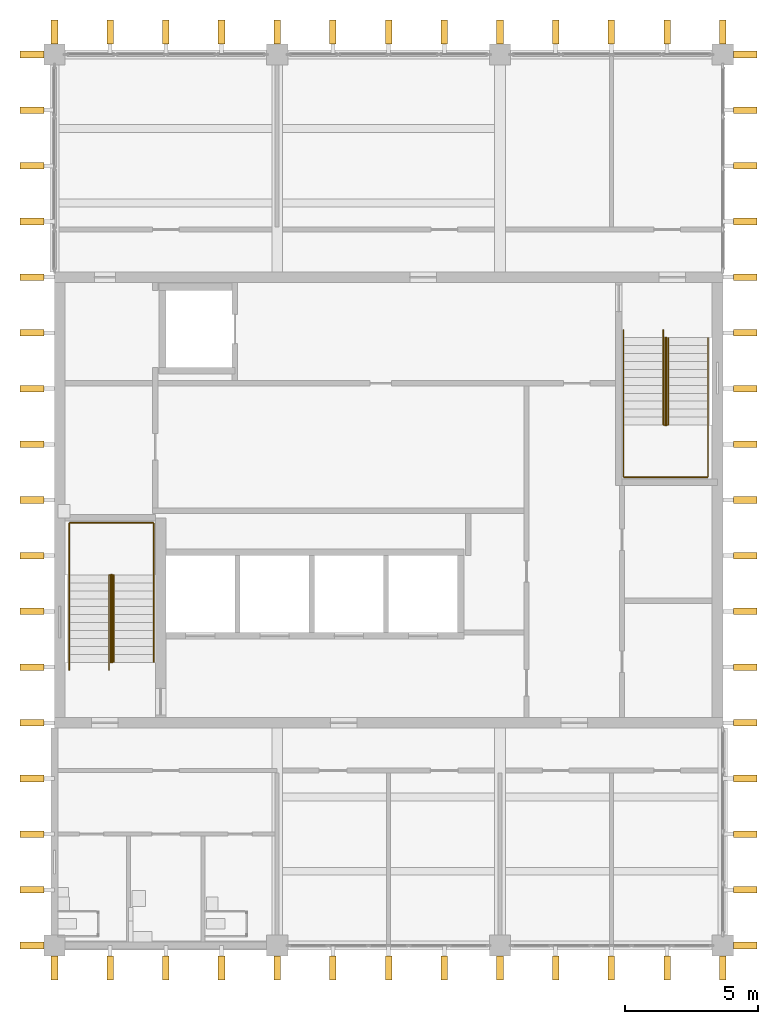
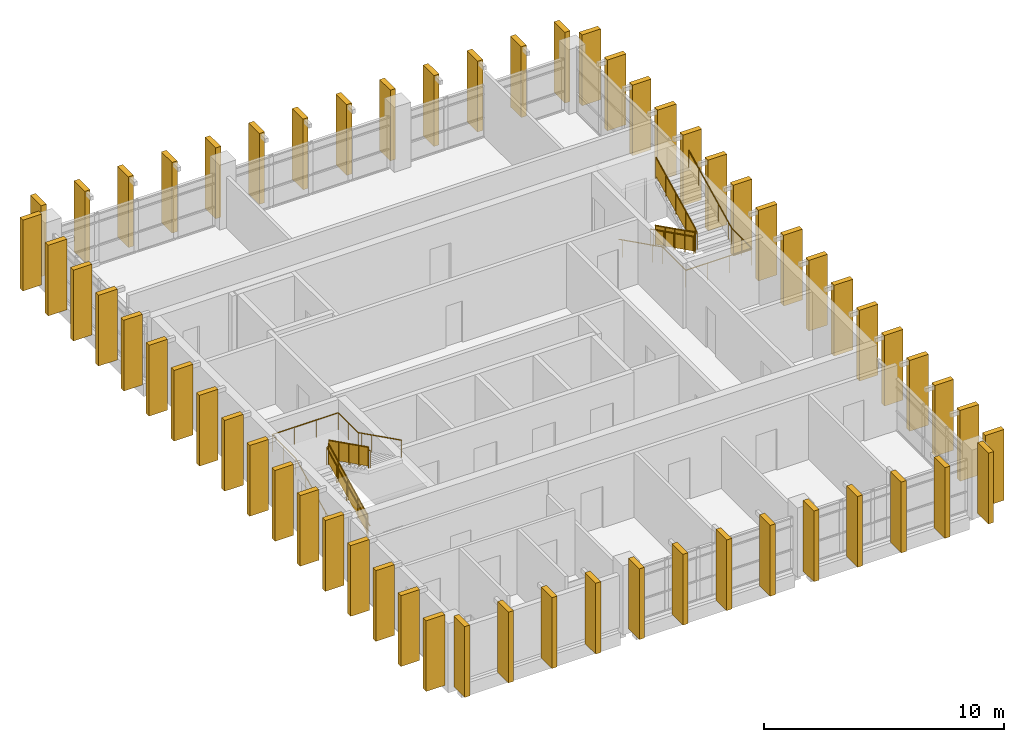
# One storey, part 10 of 11: 60 shading devices, 8 railings.
"""IFC4 building model written with IfcOpenShell, lengths in metres."""

from ifc_helpers import new_model, si_unit, direction, frame, origin, origin_2d, place, context, subcontext, project, spatial, polyline, rectangle, circle, outline, extrude, material, material_profile, profile_set, type_object, element, save


model = new_model("IFC4")

# Units and contexts
model_context = context("Model", 3, precision=1e-05, world=origin(), true_north=direction((0.0, 1.0)))
body_context = subcontext(model_context, "Body", "Model", "MODEL_VIEW")
ifc_project = project(units=[si_unit("LENGTHUNIT", "METRE"), si_unit("AREAUNIT", "SQUARE_METRE"), si_unit("VOLUMEUNIT", "CUBIC_METRE"), si_unit("PLANEANGLEUNIT", "RADIAN"), si_unit("MASSUNIT", "GRAM", prefix="KILO")], contexts=[model_context])

# Site, building, storey
site_placement = place(None, origin())
site = spatial("IfcSite", under=ifc_project, at=site_placement, CompositionType="ELEMENT")
building_placement = place(site_placement, origin())
building = spatial("IfcBuilding", under=site, at=building_placement, Name="Rulbaag Community and Learning Centre", CompositionType="ELEMENT")
storey_placement = place(building_placement, frame((0.0, 0.0, 46.800048828125)))
storey = spatial("IfcBuildingStorey", under=building, at=storey_placement, Name="L12", CompositionType="ELEMENT", Elevation=46.800048828125)

# Shading devices
ifc_material_1 = material(Name="Concrete M40", Category="concrete")
ifc_material_profile = material_profile(ifc_material_1, rectangle(XDim=0.25, YDim=0.89990234375, at=origin_2d()), Name="PC 250x900")
ifc_profile_set = profile_set([ifc_material_profile], Name="Concrete M40")
shading_device_type = type_object("IfcShadingDeviceType", Name="FIN-H", PredefinedType="JALOUSIE", material=ifc_profile_set)
for number, where, z_axis, x_axis, name in (
    (1, (142.800048828125, 83.14990234375, 0.0), (0.0, 0.0, 1.0), (1.0, 0.0, 0.0), "Precast fin"),
    (2, (144.89990234375, 83.14990234375, 0.0), (0.0, 0.0, 1.0), (1.0, 0.0, 0.0), "Precast fin"),
    (3, (147.0, 83.14990234375, 0.0), (0.0, 0.0, 1.0), (1.0, 0.0, 0.0), "Precast fin"),
    (4, (149.10009765625, 83.14990234375, 0.0), (0.0, 0.0, 1.0), (1.0, 0.0, 0.0), "Precast fin"),
    (5, (151.199951171875, 83.14990234375, 0.0), (0.0, 0.0, 1.0), (1.0, 0.0, 0.0), "Precast fin"),
    (6, (153.300048828125, 83.14990234375, 0.0), (0.0, 0.0, 1.0), (1.0, 0.0, 0.0), "Precast fin"),
    (7, (155.39990234375, 83.14990234375, 0.0), (0.0, 0.0, 1.0), (1.0, 0.0, 0.0), "Precast fin"),
    (8, (157.5, 83.14990234375, 0.0), (0.0, 0.0, 1.0), (1.0, 0.0, 0.0), "Precast fin"),
    (9, (159.60009765625, 83.14990234375, 0.0), (0.0, 0.0, 1.0), (1.0, 0.0, 0.0), "Precast fin"),
    (10, (161.699951171875, 83.14990234375, 0.0), (0.0, 0.0, 1.0), (1.0, 0.0, 0.0), "Precast fin"),
    (11, (163.800048828125, 83.14990234375, 0.0), (0.0, 0.0, 1.0), (1.0, 0.0, 0.0), "Precast fin"),
    (12, (165.89990234375, 83.14990234375, 0.0), (0.0, 0.0, 1.0), (1.0, 0.0, 0.0), "Precast fin"),
    (13, (168.0, 83.14990234375, 0.0), (0.0, 0.0, 1.0), (1.0, 0.0, 0.0), "Precast fin"),
    (14, (142.800048828125, 118.449951171875, 0.0), (0.0, 0.0, 1.0), (1.0, 0.0, 0.0), "Precast fin"),
    (15, (144.89990234375, 118.449951171875, 0.0), (0.0, 0.0, 1.0), (1.0, 0.0, 0.0), "Precast fin"),
    (16, (147.0, 118.449951171875, 0.0), (0.0, 0.0, 1.0), (1.0, 0.0, 0.0), "Precast fin"),
    (17, (149.10009765625, 118.449951171875, 0.0), (0.0, 0.0, 1.0), (1.0, 0.0, 0.0), "Precast fin"),
    (18, (151.199951171875, 118.449951171875, 0.0), (0.0, 0.0, 1.0), (1.0, 0.0, 0.0), "Precast fin"),
    (19, (153.300048828125, 118.449951171875, 0.0), (0.0, 0.0, 1.0), (1.0, 0.0, 0.0), "Precast fin"),
    (20, (155.39990234375, 118.449951171875, 0.0), (0.0, 0.0, 1.0), (1.0, 0.0, 0.0), "Precast fin"),
    (21, (157.5, 118.449951171875, 0.0), (0.0, 0.0, 1.0), (1.0, 0.0, 0.0), "Precast fin"),
    (22, (159.60009765625, 118.449951171875, 0.0), (0.0, 0.0, 1.0), (1.0, 0.0, 0.0), "Precast fin"),
    (23, (161.699951171875, 118.449951171875, 0.0), (0.0, 0.0, 1.0), (1.0, 0.0, 0.0), "Precast fin"),
    (24, (163.800048828125, 118.449951171875, 0.0), (0.0, 0.0, 1.0), (1.0, 0.0, 0.0), "Precast fin"),
    (25, (165.89990234375, 118.449951171875, 0.0), (0.0, 0.0, 1.0), (1.0, 0.0, 0.0), "Precast fin"),
    (26, (168.0, 118.449951171875, 0.0), (0.0, 0.0, 1.0), (1.0, 0.0, 0.0), "Precast fin"),
    (27, (141.949951171875, 84.0, 0.0), (0.0, 0.0, 1.0), (0.0, 1.0, 0.0), "Precast fin"),
    (28, (141.949951171875, 86.10009765625, 0.0), (0.0, 0.0, 1.0), (0.0, 1.0, 0.0), "Precast fin"),
    (29, (141.949951171875, 88.199951171875, 0.0), (0.0, 0.0, 1.0), (0.0, 1.0, 0.0), "Precast fin"),
    (30, (141.949951171875, 90.300048828125, 0.0), (0.0, 0.0, 1.0), (0.0, 1.0, 0.0), "Precast fin"),
    (31, (141.949951171875, 92.39990234375, 0.0), (0.0, 0.0, 1.0), (0.0, 1.0, 0.0), "Precast fin"),
    (32, (141.949951171875, 94.5, 0.0), (0.0, 0.0, 1.0), (0.0, 1.0, 0.0), "Precast fin"),
    (33, (141.949951171875, 96.60009765625, 0.0), (0.0, 0.0, 1.0), (0.0, 1.0, 0.0), "Precast fin"),
    (34, (141.949951171875, 98.699951171875, 0.0), (0.0, 0.0, 1.0), (0.0, 1.0, 0.0), "Precast fin"),
    (35, (141.949951171875, 100.800048828125, 0.0), (0.0, 0.0, 1.0), (0.0, 1.0, 0.0), "Precast fin"),
    (36, (141.949951171875, 102.89990234375, 0.0), (0.0, 0.0, 1.0), (0.0, 1.0, 0.0), "Precast fin"),
    (37, (141.949951171875, 105.0, 0.0), (0.0, 0.0, 1.0), (0.0, 1.0, 0.0), "Precast fin"),
    (38, (141.949951171875, 107.10009765625, 0.0), (0.0, 0.0, 1.0), (0.0, 1.0, 0.0), "Precast fin"),
    (39, (141.949951171875, 109.199951171875, 0.0), (0.0, 0.0, 1.0), (0.0, 1.0, 0.0), "Precast fin"),
    (40, (141.949951171875, 111.300048828125, 0.0), (0.0, 0.0, 1.0), (0.0, 1.0, 0.0), "Precast fin"),
    (41, (141.949951171875, 113.39990234375, 0.0), (0.0, 0.0, 1.0), (0.0, 1.0, 0.0), "Precast fin"),
    (42, (141.949951171875, 115.5, 0.0), (0.0, 0.0, 1.0), (0.0, 1.0, 0.0), "Precast fin"),
    (43, (141.949951171875, 117.60009765625, 0.0), (0.0, 0.0, 1.0), (0.0, 1.0, 0.0), "Precast fin"),
    (44, (168.85009765625, 84.0, 0.0), (0.0, 0.0, 1.0), (0.0, 1.0, 0.0), "Precast fin"),
    (45, (168.85009765625, 86.10009765625, 0.0), (0.0, 0.0, 1.0), (0.0, 1.0, 0.0), "Precast fin"),
    (46, (168.85009765625, 88.199951171875, 0.0), (0.0, 0.0, 1.0), (0.0, 1.0, 0.0), "Precast fin"),
    (47, (168.85009765625, 90.300048828125, 0.0), (0.0, 0.0, 1.0), (0.0, 1.0, 0.0), "Precast fin"),
    (48, (168.85009765625, 92.39990234375, 0.0), (0.0, 0.0, 1.0), (0.0, 1.0, 0.0), "Precast fin"),
    (49, (168.85009765625, 94.5, 0.0), (0.0, 0.0, 1.0), (0.0, 1.0, 0.0), "Precast fin"),
    (50, (168.85009765625, 96.60009765625, 0.0), (0.0, 0.0, 1.0), (0.0, 1.0, 0.0), "Precast fin"),
    (51, (168.85009765625, 98.699951171875, 0.0), (0.0, 0.0, 1.0), (0.0, 1.0, 0.0), "Precast fin"),
    (52, (168.85009765625, 100.800048828125, 0.0), (0.0, 0.0, 1.0), (0.0, 1.0, 0.0), "Precast fin"),
    (53, (168.85009765625, 102.89990234375, 0.0), (0.0, 0.0, 1.0), (0.0, 1.0, 0.0), "Precast fin"),
    (54, (168.85009765625, 105.0, 0.0), (0.0, 0.0, 1.0), (0.0, 1.0, 0.0), "Precast fin"),
    (55, (168.85009765625, 107.10009765625, 0.0), (0.0, 0.0, 1.0), (0.0, 1.0, 0.0), "Precast fin"),
    (56, (168.85009765625, 109.199951171875, 0.0), (0.0, 0.0, 1.0), (0.0, 1.0, 0.0), "Precast fin"),
    (57, (168.85009765625, 111.300048828125, 0.0), (0.0, 0.0, 1.0), (0.0, 1.0, 0.0), "Precast fin"),
    (58, (168.85009765625, 113.39990234375, 0.0), (0.0, 0.0, 1.0), (0.0, 1.0, 0.0), "Precast fin"),
    (59, (168.85009765625, 115.5, 0.0), (0.0, 0.0, 1.0), (0.0, 1.0, 0.0), "Precast fin"),
    (60, (168.85009765625, 117.60009765625, 0.0), (0.0, 0.0, 1.0), (0.0, 1.0, 0.0), "Precast fin"),
):
    element("IfcShadingDevice", number, at=place(storey_placement, frame(where, z_axis=z_axis, x_axis=x_axis)), inside=storey, type_object=shading_device_type, Name=name, PredefinedType="JALOUSIE", context=body_context, shape_type="SweptSolid", body=[
        extrude(rectangle(XDim=0.25, YDim=0.89990234375, at=origin_2d()), origin(), (0.0, 0.0, 1.0), 3.599853515625),
    ])

# Railings
ifc_material_2 = material(Name="Galvanised mild steel", Category="steel")
railing_type_1 = type_object("IfcRailingType", Name="GR-1100 GUARD 1100", PredefinedType="GUARDRAIL", material=ifc_material_2)
railing_1_placement = place(storey_placement, frame((144.929931640625, 94.675048828125, 0.14990234375)))
element("IfcRailing", 61, at=railing_1_placement, inside=storey, type_object=railing_type_1, Name="Guard ST1 L12 G", PredefinedType="GUARDRAIL", context=body_context, shape_type="SweptSolid", body=[
    extrude(circle(Radius=0.02490234375, at=origin_2d()), frame((0.0, 0.0, 1.0751953125), z_axis=(0.0, 0.894413956696, 0.447240063129), x_axis=(-1.0, 0.0, 0.0)), (0.0, 0.0, 1.0), 3.689697265625),
    extrude(circle(Radius=0.02001953125, at=origin_2d()), origin(), (0.0, 0.0, 1.0), 1.050048828125),
    extrude(circle(Radius=0.02001953125, at=origin_2d()), frame((0.0, 0.824951171875, 0.41259765625)), (0.0, 0.0, 1.0), 1.050048828125),
    extrude(circle(Radius=0.02001953125, at=origin_2d()), frame((0.0, 1.64990234375, 0.8251953125)), (0.0, 0.0, 1.0), 1.050048828125),
    extrude(circle(Radius=0.02001953125, at=origin_2d()), frame((0.0, 2.47509765625, 1.237548828125)), (0.0, 0.0, 1.0), 1.050048828125),
    extrude(circle(Radius=0.02001953125, at=origin_2d()), frame((0.0, 3.300048828125, 1.650146484375)), (0.0, 0.0, 1.0), 1.050048828125),
    extrude(outline(polyline([(0.0, 0.0), (3.300048828125, 1.650146484375), (3.300048828125, 2.60009765625), (0.0, 0.949951171875), (0.0, 0.0)])), frame((-0.0048828125, 0.0, 0.10009765625), z_axis=(1.0, 0.0, 0.0), x_axis=(0.0, 1.0, 0.0)), (0.0, 0.0, 1.0), 0.010009765625),
])
railing_2_placement = place(storey_placement, frame((144.969970703125, 97.97509765625, 1.949951171875)))
element("IfcRailing", 62, at=railing_2_placement, inside=storey, type_object=railing_type_1, Name="Guard ST1 L12 G2", PredefinedType="GUARDRAIL", context=body_context, shape_type="SweptSolid", body=[
    extrude(circle(Radius=0.02490234375, at=origin_2d()), frame((0.0, 0.0, 1.0751953125), z_axis=(0.0, -0.894440424912, 0.447187126696), x_axis=(1.0, 0.0, 0.0)), (0.0, 0.0, 1.0), 3.689453125),
    extrude(circle(Radius=0.02001953125, at=origin_2d()), origin(), (0.0, 0.0, 1.0), 1.050048828125),
    extrude(circle(Radius=0.02001953125, at=origin_2d()), frame((0.0, -0.824951171875, 0.41259765625)), (0.0, 0.0, 1.0), 1.050048828125),
    extrude(circle(Radius=0.02001953125, at=origin_2d()), frame((0.0, -1.64990234375, 0.824951171875)), (0.0, 0.0, 1.0), 1.050048828125),
    extrude(circle(Radius=0.02001953125, at=origin_2d()), frame((0.0, -2.47509765625, 1.2373046875)), (0.0, 0.0, 1.0), 1.050048828125),
    extrude(circle(Radius=0.02001953125, at=origin_2d()), frame((0.0, -3.300048828125, 1.64990234375)), (0.0, 0.0, 1.0), 1.050048828125),
    extrude(outline(polyline([(0.0, 0.0), (3.300048828125, 1.64990234375), (3.300048828125, 2.599853515625), (0.0, 0.949951171875), (0.0, 0.0)])), frame((0.0048828125, 0.0, 0.10009765625), z_axis=(-1.0, 0.0, 0.0), x_axis=(0.0, -1.0, 0.0)), (0.0, 0.0, 1.0), 0.010009765625),
])
railing_3_placement = place(storey_placement, frame((165.830078125, 106.925048828125, 0.14990234375)))
element("IfcRailing", 63, at=railing_3_placement, inside=storey, type_object=railing_type_1, Name="Guard ST2 L12 G", PredefinedType="GUARDRAIL", context=body_context, shape_type="SweptSolid", body=[
    extrude(circle(Radius=0.02490234375, at=origin_2d()), frame((0.0, 0.0, 1.0751953125), z_axis=(0.0, -0.894413956696, 0.447240063129), x_axis=(1.0, 0.0, 0.0)), (0.0, 0.0, 1.0), 3.689697265625),
    extrude(circle(Radius=0.02001953125, at=origin_2d()), origin(), (0.0, 0.0, 1.0), 1.050048828125),
    extrude(circle(Radius=0.02001953125, at=origin_2d()), frame((0.0, -0.824951171875, 0.41259765625)), (0.0, 0.0, 1.0), 1.050048828125),
    extrude(circle(Radius=0.02001953125, at=origin_2d()), frame((0.0, -1.64990234375, 0.8251953125)), (0.0, 0.0, 1.0), 1.050048828125),
    extrude(circle(Radius=0.02001953125, at=origin_2d()), frame((0.0, -2.47509765625, 1.237548828125)), (0.0, 0.0, 1.0), 1.050048828125),
    extrude(circle(Radius=0.02001953125, at=origin_2d()), frame((0.0, -3.300048828125, 1.650146484375)), (0.0, 0.0, 1.0), 1.050048828125),
    extrude(outline(polyline([(0.0, 0.0), (3.300048828125, 1.650146484375), (3.300048828125, 2.60009765625), (0.0, 0.949951171875), (0.0, 0.0)])), frame((0.0048828125, 0.0, 0.10009765625), z_axis=(-1.0, 0.0, 0.0), x_axis=(0.0, -1.0, 0.0)), (0.0, 0.0, 1.0), 0.010009765625),
])
railing_4_placement = place(storey_placement, frame((165.8701171875, 103.625, 1.949951171875)))
element("IfcRailing", 64, at=railing_4_placement, inside=storey, type_object=railing_type_1, Name="Guard ST2 L12 G2", PredefinedType="GUARDRAIL", context=body_context, shape_type="SweptSolid", body=[
    extrude(circle(Radius=0.02490234375, at=origin_2d()), frame((0.0, 0.0, 1.0751953125), z_axis=(0.0, 0.894440424912, 0.447187126696), x_axis=(-1.0, 0.0, 0.0)), (0.0, 0.0, 1.0), 3.689453125),
    extrude(circle(Radius=0.02001953125, at=origin_2d()), origin(), (0.0, 0.0, 1.0), 1.050048828125),
    extrude(circle(Radius=0.02001953125, at=origin_2d()), frame((0.0, 0.824951171875, 0.41259765625)), (0.0, 0.0, 1.0), 1.050048828125),
    extrude(circle(Radius=0.02001953125, at=origin_2d()), frame((0.0, 1.64990234375, 0.824951171875)), (0.0, 0.0, 1.0), 1.050048828125),
    extrude(circle(Radius=0.02001953125, at=origin_2d()), frame((0.0, 2.47509765625, 1.2373046875)), (0.0, 0.0, 1.0), 1.050048828125),
    extrude(circle(Radius=0.02001953125, at=origin_2d()), frame((0.0, 3.300048828125, 1.64990234375)), (0.0, 0.0, 1.0), 1.050048828125),
    extrude(outline(polyline([(0.0, 0.0), (3.300048828125, 1.64990234375), (3.300048828125, 2.599853515625), (0.0, 0.949951171875), (0.0, 0.0)])), frame((-0.0048828125, 0.0, 0.10009765625), z_axis=(1.0, 0.0, 0.0), x_axis=(0.0, 1.0, 0.0)), (0.0, 0.0, 1.0), 0.010009765625),
])
ifc_material_3 = material(Name="Stainless steel grade 316", Category="steel")
railing_type_2 = type_object("IfcRailingType", Name="HR-900 HANDRAIL 900", PredefinedType="HANDRAIL", material=ifc_material_3)
railing_5_placement = place(storey_placement, frame((143.360107421875, 94.375, 0.0)))
element("IfcRailing", 65, at=railing_5_placement, inside=storey, type_object=railing_type_2, Name="Handrail ST1 L12 O", PredefinedType="HANDRAIL", context=body_context, shape_type="SweptSolid", body=[
    extrude(circle(Radius=0.024169921875, at=origin_2d()), frame((0.0, 0.0, 0.875732421875), z_axis=(0.0, 0.894572720946, 0.446922417137), x_axis=(-1.0, 0.0, 0.0)), (0.0, 0.0, 1.0), 0.33544921875),
    extrude(circle(Radius=0.024169921875, at=origin_2d()), frame((0.0, 0.300048828125, 1.025634765625), z_axis=(0.0, 0.894413956696, 0.447240063129), x_axis=(-1.0, 0.0, 0.0)), (0.0, 0.0, 1.0), 3.689697265625),
    extrude(circle(Radius=0.024169921875, at=origin_2d()), frame((0.0, 3.60009765625, 2.67578125), z_axis=(0.0, 1.0, 0.0), x_axis=(-1.0, 0.0, 0.0)), (0.0, 0.0, 1.0), 1.96484375),
    extrude(circle(Radius=0.024169921875, at=origin_2d()), frame((0.0, 5.56494140625, 2.67578125), z_axis=(1.0, 0.0, 0.0), x_axis=(0.0, 1.0, 0.0)), (0.0, 0.0, 1.0), 3.179931640625),
    extrude(circle(Radius=0.024169921875, at=origin_2d()), frame((3.179931640625, 5.56494140625, 2.67578125), z_axis=(0.0, -1.0, 0.0), x_axis=(1.0, 0.0, 0.0)), (0.0, 0.0, 1.0), 1.6650390625),
    extrude(circle(Radius=0.024169921875, at=origin_2d()), frame((3.179931640625, 3.89990234375, 2.67578125), z_axis=(0.0, -0.894427191, 0.4472135955), x_axis=(1.0, 0.0, 0.0)), (0.0, 0.0, 1.0), 0.335205078125),
    extrude(circle(Radius=0.024169921875, at=origin_2d()), frame((3.179931640625, 3.60009765625, 2.82568359375), z_axis=(0.0, -0.894440424912, 0.447187126696), x_axis=(1.0, 0.0, 0.0)), (0.0, 0.0, 1.0), 3.689453125),
    extrude(circle(Radius=0.008056640625, at=origin_2d()), origin(), (0.0, 0.0, 1.0), 0.8515625),
    extrude(circle(Radius=0.008056640625, at=origin_2d()), frame((0.0, 0.300048828125, 0.14990234375)), (0.0, 0.0, 1.0), 0.8515625),
    extrude(circle(Radius=0.008056640625, at=origin_2d()), frame((0.0, 1.125, 0.5625)), (0.0, 0.0, 1.0), 0.8515625),
    extrude(circle(Radius=0.008056640625, at=origin_2d()), frame((0.0, 1.9501953125, 0.97509765625)), (0.0, 0.0, 1.0), 0.8515625),
    extrude(circle(Radius=0.008056640625, at=origin_2d()), frame((0.0, 2.775146484375, 1.387451171875)), (0.0, 0.0, 1.0), 0.8515625),
    extrude(circle(Radius=0.008056640625, at=origin_2d()), frame((0.0, 3.60009765625, 1.800048828125)), (0.0, 0.0, 1.0), 0.8515625),
    extrude(circle(Radius=0.008056640625, at=origin_2d()), frame((0.0, 4.58251953125, 1.800048828125)), (0.0, 0.0, 1.0), 0.8515625),
    extrude(circle(Radius=0.008056640625, at=origin_2d()), frame((0.0, 5.56494140625, 1.800048828125)), (0.0, 0.0, 1.0), 0.8515625),
    extrude(circle(Radius=0.008056640625, at=origin_2d()), frame((1.06005859375, 5.56494140625, 1.800048828125)), (0.0, 0.0, 1.0), 0.8515625),
    extrude(circle(Radius=0.008056640625, at=origin_2d()), frame((2.119873046875, 5.56494140625, 1.800048828125)), (0.0, 0.0, 1.0), 0.8515625),
    extrude(circle(Radius=0.008056640625, at=origin_2d()), frame((3.179931640625, 5.56494140625, 1.800048828125)), (0.0, 0.0, 1.0), 0.8515625),
    extrude(circle(Radius=0.008056640625, at=origin_2d()), frame((3.179931640625, 4.732421875, 1.800048828125)), (0.0, 0.0, 1.0), 0.8515625),
    extrude(circle(Radius=0.008056640625, at=origin_2d()), frame((3.179931640625, 3.89990234375, 1.800048828125)), (0.0, 0.0, 1.0), 0.8515625),
    extrude(circle(Radius=0.008056640625, at=origin_2d()), frame((3.179931640625, 3.60009765625, 1.949951171875)), (0.0, 0.0, 1.0), 0.8515625),
    extrude(circle(Radius=0.008056640625, at=origin_2d()), frame((3.179931640625, 2.775146484375, 2.3623046875)), (0.0, 0.0, 1.0), 0.8515625),
    extrude(circle(Radius=0.008056640625, at=origin_2d()), frame((3.179931640625, 1.9501953125, 2.77490234375)), (0.0, 0.0, 1.0), 0.8515625),
    extrude(circle(Radius=0.008056640625, at=origin_2d()), frame((3.179931640625, 1.125, 3.1875)), (0.0, 0.0, 1.0), 0.8515625),
    extrude(circle(Radius=0.008056640625, at=origin_2d()), frame((3.179931640625, 0.300048828125, 3.599853515625)), (0.0, 0.0, 1.0), 0.8515625),
])
railing_6_placement = place(storey_placement, frame((144.860107421875, 94.375, 0.0)))
element("IfcRailing", 66, at=railing_6_placement, inside=storey, type_object=railing_type_2, Name="Handrail ST1 L12 I", PredefinedType="HANDRAIL", context=body_context, shape_type="SweptSolid", body=[
    extrude(circle(Radius=0.024169921875, at=origin_2d()), frame((0.0, 0.0, 0.875732421875), z_axis=(0.0, 0.894572720946, 0.446922417137), x_axis=(-1.0, 0.0, 0.0)), (0.0, 0.0, 1.0), 0.33544921875),
    extrude(circle(Radius=0.024169921875, at=origin_2d()), frame((0.0, 0.300048828125, 1.025634765625), z_axis=(0.0, 0.894413956696, 0.447240063129), x_axis=(-1.0, 0.0, 0.0)), (0.0, 0.0, 1.0), 3.689697265625),
    extrude(circle(Radius=0.024169921875, at=origin_2d()), frame((0.0, 3.60009765625, 2.67578125), z_axis=(0.768306721819, 0.0, 0.640081855084), x_axis=(0.0, 1.0, 0.0)), (0.0, 0.0, 1.0), 0.234130859375),
    extrude(circle(Radius=0.024169921875, at=origin_2d()), frame((0.179931640625, 3.60009765625, 2.82568359375), z_axis=(0.0, -0.894440424912, 0.447187126696), x_axis=(1.0, 0.0, 0.0)), (0.0, 0.0, 1.0), 3.689453125),
    extrude(circle(Radius=0.008056640625, at=origin_2d()), origin(), (0.0, 0.0, 1.0), 0.8515625),
    extrude(circle(Radius=0.008056640625, at=origin_2d()), frame((0.0, 0.300048828125, 0.14990234375)), (0.0, 0.0, 1.0), 0.8515625),
    extrude(circle(Radius=0.008056640625, at=origin_2d()), frame((0.0, 1.125, 0.5625)), (0.0, 0.0, 1.0), 0.8515625),
    extrude(circle(Radius=0.008056640625, at=origin_2d()), frame((0.0, 1.9501953125, 0.97509765625)), (0.0, 0.0, 1.0), 0.8515625),
    extrude(circle(Radius=0.008056640625, at=origin_2d()), frame((0.0, 2.775146484375, 1.387451171875)), (0.0, 0.0, 1.0), 0.8515625),
    extrude(circle(Radius=0.008056640625, at=origin_2d()), frame((0.0, 3.60009765625, 1.800048828125)), (0.0, 0.0, 1.0), 0.8515625),
    extrude(circle(Radius=0.008056640625, at=origin_2d()), frame((0.179931640625, 3.60009765625, 1.949951171875)), (0.0, 0.0, 1.0), 0.8515625),
    extrude(circle(Radius=0.008056640625, at=origin_2d()), frame((0.179931640625, 2.775146484375, 2.3623046875)), (0.0, 0.0, 1.0), 0.8515625),
    extrude(circle(Radius=0.008056640625, at=origin_2d()), frame((0.179931640625, 1.9501953125, 2.77490234375)), (0.0, 0.0, 1.0), 0.8515625),
    extrude(circle(Radius=0.008056640625, at=origin_2d()), frame((0.179931640625, 1.125, 3.1875)), (0.0, 0.0, 1.0), 0.8515625),
    extrude(circle(Radius=0.008056640625, at=origin_2d()), frame((0.179931640625, 0.300048828125, 3.599853515625)), (0.0, 0.0, 1.0), 0.8515625),
])
railing_7_placement = place(storey_placement, frame((164.260009765625, 107.22509765625, 0.0)))
element("IfcRailing", 67, at=railing_7_placement, inside=storey, type_object=railing_type_2, Name="Handrail ST2 L12 O", PredefinedType="HANDRAIL", context=body_context, shape_type="SweptSolid", body=[
    extrude(circle(Radius=0.024169921875, at=origin_2d()), frame((0.0, 0.0, 0.875732421875), z_axis=(0.0, -0.894572720946, 0.446922417137), x_axis=(1.0, 0.0, 0.0)), (0.0, 0.0, 1.0), 0.33544921875),
    extrude(circle(Radius=0.024169921875, at=origin_2d()), frame((0.0, -0.300048828125, 1.025634765625), z_axis=(0.0, -0.894413956696, 0.447240063129), x_axis=(1.0, 0.0, 0.0)), (0.0, 0.0, 1.0), 3.689697265625),
    extrude(circle(Radius=0.024169921875, at=origin_2d()), frame((0.0, -3.60009765625, 2.67578125), z_axis=(0.0, -1.0, 0.0), x_axis=(1.0, 0.0, 0.0)), (0.0, 0.0, 1.0), 1.965087890625),
    extrude(circle(Radius=0.024169921875, at=origin_2d()), frame((0.0, -5.565185546875, 2.67578125), z_axis=(1.0, 0.0, 0.0), x_axis=(0.0, 1.0, 0.0)), (0.0, 0.0, 1.0), 3.179931640625),
    extrude(circle(Radius=0.024169921875, at=origin_2d()), frame((3.179931640625, -5.565185546875, 2.67578125), z_axis=(0.0, 1.0, 0.0), x_axis=(-1.0, 0.0, 0.0)), (0.0, 0.0, 1.0), 1.6650390625),
    extrude(circle(Radius=0.024169921875, at=origin_2d()), frame((3.179931640625, -3.900146484375, 2.67578125), z_axis=(0.0, 0.894572720946, 0.446922417137), x_axis=(-1.0, 0.0, 0.0)), (0.0, 0.0, 1.0), 0.33544921875),
    extrude(circle(Radius=0.024169921875, at=origin_2d()), frame((3.179931640625, -3.60009765625, 2.82568359375), z_axis=(0.0, 0.894440424912, 0.447187126696), x_axis=(-1.0, 0.0, 0.0)), (0.0, 0.0, 1.0), 3.689453125),
    extrude(circle(Radius=0.008056640625, at=origin_2d()), origin(), (0.0, 0.0, 1.0), 0.8515625),
    extrude(circle(Radius=0.008056640625, at=origin_2d()), frame((0.0, -0.300048828125, 0.14990234375)), (0.0, 0.0, 1.0), 0.8515625),
    extrude(circle(Radius=0.008056640625, at=origin_2d()), frame((0.0, -1.125, 0.5625)), (0.0, 0.0, 1.0), 0.8515625),
    extrude(circle(Radius=0.008056640625, at=origin_2d()), frame((0.0, -1.9501953125, 0.97509765625)), (0.0, 0.0, 1.0), 0.8515625),
    extrude(circle(Radius=0.008056640625, at=origin_2d()), frame((0.0, -2.775146484375, 1.387451171875)), (0.0, 0.0, 1.0), 0.8515625),
    extrude(circle(Radius=0.008056640625, at=origin_2d()), frame((0.0, -3.60009765625, 1.800048828125)), (0.0, 0.0, 1.0), 0.8515625),
    extrude(circle(Radius=0.008056640625, at=origin_2d()), frame((0.0, -4.58251953125, 1.800048828125)), (0.0, 0.0, 1.0), 0.8515625),
    extrude(circle(Radius=0.008056640625, at=origin_2d()), frame((0.0, -5.565185546875, 1.800048828125)), (0.0, 0.0, 1.0), 0.8515625),
    extrude(circle(Radius=0.008056640625, at=origin_2d()), frame((1.06005859375, -5.565185546875, 1.800048828125)), (0.0, 0.0, 1.0), 0.8515625),
    extrude(circle(Radius=0.008056640625, at=origin_2d()), frame((2.119873046875, -5.565185546875, 1.800048828125)), (0.0, 0.0, 1.0), 0.8515625),
    extrude(circle(Radius=0.008056640625, at=origin_2d()), frame((3.179931640625, -5.565185546875, 1.800048828125)), (0.0, 0.0, 1.0), 0.8515625),
    extrude(circle(Radius=0.008056640625, at=origin_2d()), frame((3.179931640625, -4.732666015625, 1.800048828125)), (0.0, 0.0, 1.0), 0.8515625),
    extrude(circle(Radius=0.008056640625, at=origin_2d()), frame((3.179931640625, -3.900146484375, 1.800048828125)), (0.0, 0.0, 1.0), 0.8515625),
    extrude(circle(Radius=0.008056640625, at=origin_2d()), frame((3.179931640625, -3.60009765625, 1.949951171875)), (0.0, 0.0, 1.0), 0.8515625),
    extrude(circle(Radius=0.008056640625, at=origin_2d()), frame((3.179931640625, -2.775146484375, 2.3623046875)), (0.0, 0.0, 1.0), 0.8515625),
    extrude(circle(Radius=0.008056640625, at=origin_2d()), frame((3.179931640625, -1.9501953125, 2.77490234375)), (0.0, 0.0, 1.0), 0.8515625),
    extrude(circle(Radius=0.008056640625, at=origin_2d()), frame((3.179931640625, -1.125, 3.1875)), (0.0, 0.0, 1.0), 0.8515625),
    extrude(circle(Radius=0.008056640625, at=origin_2d()), frame((3.179931640625, -0.300048828125, 3.599853515625)), (0.0, 0.0, 1.0), 0.8515625),
])
railing_8_placement = place(storey_placement, frame((165.760009765625, 107.22509765625, 0.0)))
element("IfcRailing", 68, at=railing_8_placement, inside=storey, type_object=railing_type_2, Name="Handrail ST2 L12 I", PredefinedType="HANDRAIL", context=body_context, shape_type="SweptSolid", body=[
    extrude(circle(Radius=0.024169921875, at=origin_2d()), frame((0.0, 0.0, 0.875732421875), z_axis=(0.0, -0.894572720946, 0.446922417137), x_axis=(1.0, 0.0, 0.0)), (0.0, 0.0, 1.0), 0.33544921875),
    extrude(circle(Radius=0.024169921875, at=origin_2d()), frame((0.0, -0.300048828125, 1.025634765625), z_axis=(0.0, -0.894413956696, 0.447240063129), x_axis=(1.0, 0.0, 0.0)), (0.0, 0.0, 1.0), 3.689697265625),
    extrude(circle(Radius=0.024169921875, at=origin_2d()), frame((0.0, -3.60009765625, 2.67578125), z_axis=(0.768306721819, 0.0, 0.640081855084), x_axis=(0.0, 1.0, 0.0)), (0.0, 0.0, 1.0), 0.234130859375),
    extrude(circle(Radius=0.024169921875, at=origin_2d()), frame((0.179931640625, -3.60009765625, 2.82568359375), z_axis=(0.0, 0.894440424912, 0.447187126696), x_axis=(-1.0, 0.0, 0.0)), (0.0, 0.0, 1.0), 3.689453125),
    extrude(circle(Radius=0.008056640625, at=origin_2d()), origin(), (0.0, 0.0, 1.0), 0.8515625),
    extrude(circle(Radius=0.008056640625, at=origin_2d()), frame((0.0, -0.300048828125, 0.14990234375)), (0.0, 0.0, 1.0), 0.8515625),
    extrude(circle(Radius=0.008056640625, at=origin_2d()), frame((0.0, -1.125, 0.5625)), (0.0, 0.0, 1.0), 0.8515625),
    extrude(circle(Radius=0.008056640625, at=origin_2d()), frame((0.0, -1.9501953125, 0.97509765625)), (0.0, 0.0, 1.0), 0.8515625),
    extrude(circle(Radius=0.008056640625, at=origin_2d()), frame((0.0, -2.775146484375, 1.387451171875)), (0.0, 0.0, 1.0), 0.8515625),
    extrude(circle(Radius=0.008056640625, at=origin_2d()), frame((0.0, -3.60009765625, 1.800048828125)), (0.0, 0.0, 1.0), 0.8515625),
    extrude(circle(Radius=0.008056640625, at=origin_2d()), frame((0.179931640625, -3.60009765625, 1.949951171875)), (0.0, 0.0, 1.0), 0.8515625),
    extrude(circle(Radius=0.008056640625, at=origin_2d()), frame((0.179931640625, -2.775146484375, 2.3623046875)), (0.0, 0.0, 1.0), 0.8515625),
    extrude(circle(Radius=0.008056640625, at=origin_2d()), frame((0.179931640625, -1.9501953125, 2.77490234375)), (0.0, 0.0, 1.0), 0.8515625),
    extrude(circle(Radius=0.008056640625, at=origin_2d()), frame((0.179931640625, -1.125, 3.1875)), (0.0, 0.0, 1.0), 0.8515625),
    extrude(circle(Radius=0.008056640625, at=origin_2d()), frame((0.179931640625, -0.300048828125, 3.599853515625)), (0.0, 0.0, 1.0), 0.8515625),
])

save(model, "model.ifc")
